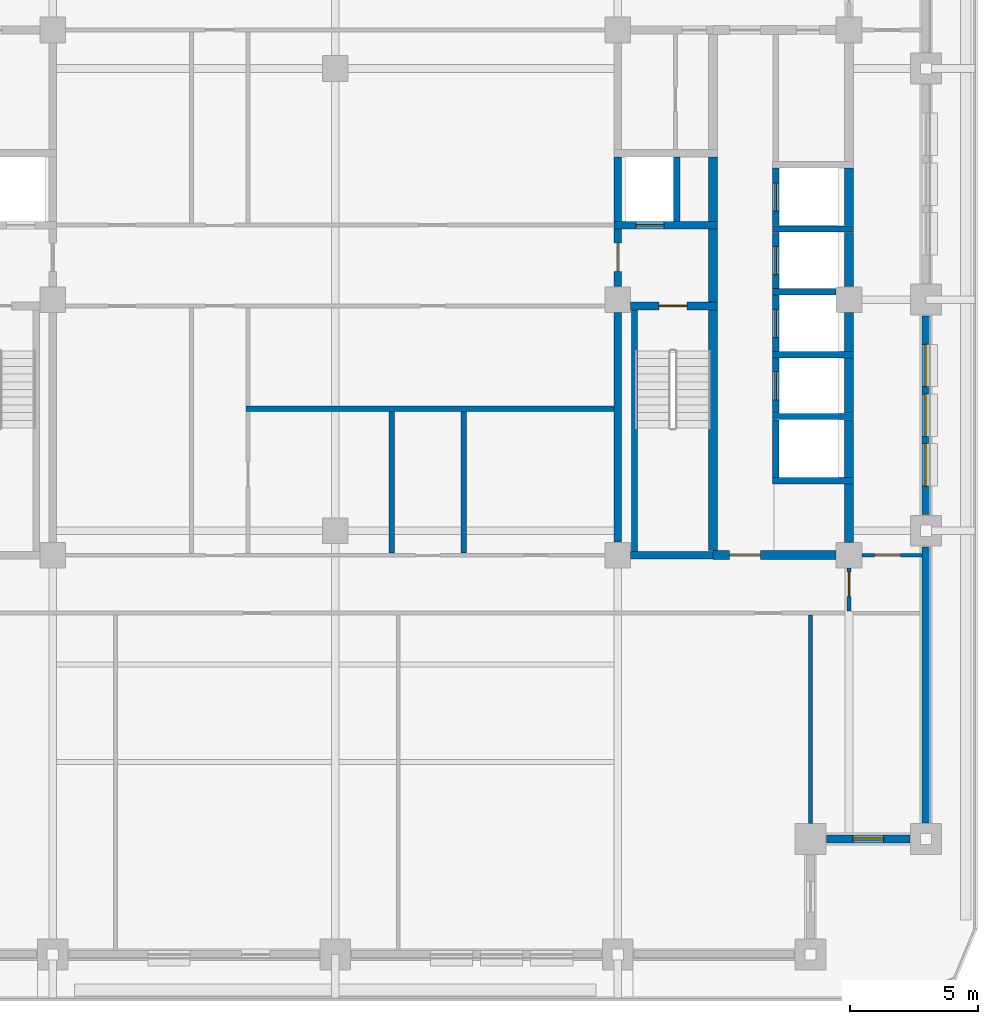
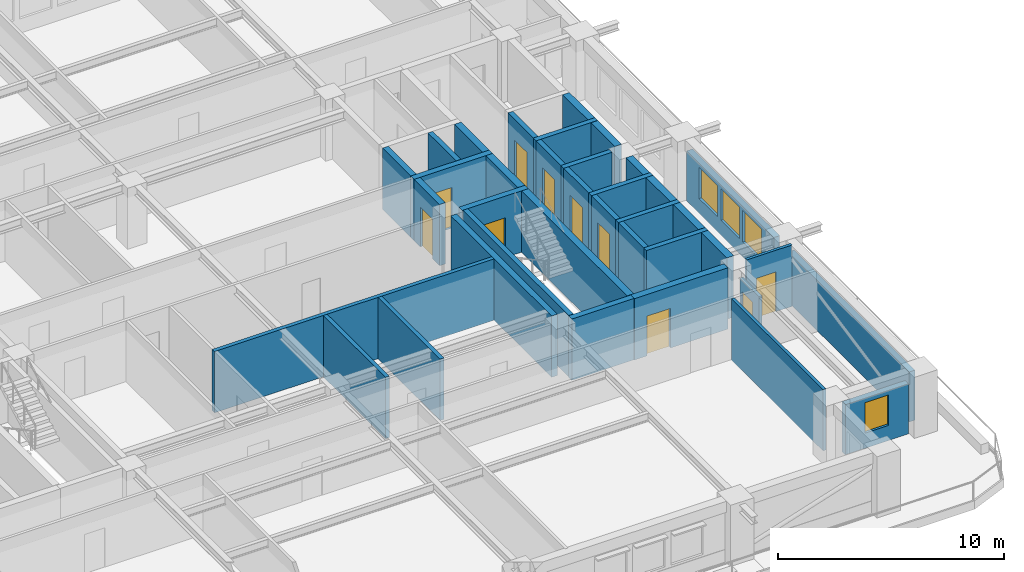
# One storey, part 4 of 15: 37 walls, 10 doors, 4 windows, 14 openings.
"""IFC4 building model written with IfcOpenShell, lengths in metres."""

from ifc_helpers import new_model, si_unit, direction, frame, frame_2d, origin, place, context, subcontext, project, spatial, rectangle, extrude, material, layer, layer_set, type_object, element, fill, save


model = new_model("IFC4")

# Units and contexts
model_context = context("Model", 3, precision=1e-05, world=origin(), true_north=direction((0.0, 1.0)))
body_context = subcontext(model_context, "Body", "Model", "MODEL_VIEW")
ifc_project = project(units=[si_unit("LENGTHUNIT", "METRE"), si_unit("AREAUNIT", "SQUARE_METRE"), si_unit("VOLUMEUNIT", "CUBIC_METRE"), si_unit("PLANEANGLEUNIT", "RADIAN"), si_unit("MASSUNIT", "GRAM", prefix="KILO")], contexts=[model_context])

# Site, building, storey
site_placement = place(None, origin())
site = spatial("IfcSite", under=ifc_project, at=site_placement, CompositionType="ELEMENT")
building_placement = place(site_placement, origin())
building = spatial("IfcBuilding", under=site, at=building_placement, Name="Zulmaris Gate Convention Tower", CompositionType="ELEMENT")
storey_placement = place(building_placement, frame((0.0, 0.0, 128.48974609375)))
storey = spatial("IfcBuildingStorey", under=building, at=storey_placement, Name="L32", CompositionType="ELEMENT", Elevation=128.48974609375)

# Walls
ifc_material_1 = material(Name="Concrete C50/60", Category="concrete")
ifc_layer_1 = layer(ifc_material_1, 0.25, Name="Concrete C50/60")
ifc_layer_set_1 = layer_set([ifc_layer_1], Name="Concrete C50/60")
wall_type_1 = type_object("IfcWallType", Name="CORE-250", PredefinedType="SOLIDWALL", material=ifc_layer_set_1)
for number, where, z_axis, x_axis, name in (
    (1, (17.02490234375, -7.050048828125, 0.0), (0.0, 0.0, 1.0), (1.0, 0.0, 0.0), "WL-L32-005"),
    (2, (17.02490234375, -4.550048828125, 0.0), (0.0, 0.0, 1.0), (1.0, 0.0, 0.0), "WL-L32-006"),
    (3, (17.02490234375, -2.14990234375, 0.0), (0.0, 0.0, 1.0), (1.0, 0.0, 0.0), "WL-L32-007"),
):
    element("IfcWall", number, at=place(storey_placement, frame(where, z_axis=z_axis, x_axis=x_axis)), inside=storey, type_object=wall_type_1, Name=name, PredefinedType="SOLIDWALL", context=body_context, shape_type="SweptSolid", body=[
        extrude(rectangle(XDim=3.150146484375, YDim=0.25, at=frame_2d((1.5751953125, 0.0))), origin(), (0.0, 0.0, 1.0), 3.320068359375),
    ])
wall_1_placement = place(storey_placement, frame((17.02490234375, 0.300048828125, 0.0), z_axis=(0.0, 0.0, 1.0), x_axis=(1.0, 0.0, 0.0)))
element("IfcWall", 4, at=wall_1_placement, inside=storey, type_object=wall_type_1, Name="WL-L32-010", PredefinedType="SOLIDWALL", context=body_context, shape_type="SweptSolid", body=[
    extrude(rectangle(XDim=2.47119140625, YDim=0.25, at=frame_2d((1.235595703125, 0.0))), origin(), (0.0, 0.0, 1.0), 3.320068359375),
])
wall_2_placement = place(storey_placement, frame((17.02490234375, 2.75, 0.0), z_axis=(0.0, 0.0, 1.0), x_axis=(1.0, 0.0, 0.0)))
element("IfcWall", 5, at=wall_2_placement, inside=storey, type_object=wall_type_1, Name="WL-L32-011", PredefinedType="SOLIDWALL", context=body_context, shape_type="SweptSolid", body=[
    extrude(rectangle(XDim=3.150146484375, YDim=0.25, at=frame_2d((1.5751953125, 0.0))), origin(), (0.0, 0.0, 1.0), 3.320068359375),
])
wall_3_placement = place(storey_placement, frame((11.64990234375, -9.798095703125, 0.0), z_axis=(0.0, 0.0, 1.0), x_axis=(0.0, 1.0, 0.0)))
element("IfcWall", 6, at=wall_3_placement, inside=storey, type_object=wall_type_1, Name="WL-L32-051", PredefinedType="SOLIDWALL", context=body_context, shape_type="SweptSolid", body=[
    extrude(rectangle(XDim=9.39599609375, YDim=0.25, at=frame_2d((4.697998046875, 0.0))), origin(), (0.0, 0.0, 1.0), 3.320068359375),
])
wall_4_placement = place(storey_placement, frame((13.300048828125, 3.052001953125, 0.0), z_axis=(0.0, 0.0, 1.0), x_axis=(0.0, 1.0, 0.0)))
element("IfcWall", 7, at=wall_4_placement, inside=storey, type_object=wall_type_1, Name="WL-L32-052", PredefinedType="SOLIDWALL", context=body_context, shape_type="SweptSolid", body=[
    extrude(rectangle(XDim=2.49609375, YDim=0.25, at=frame_2d((1.248046875, 0.0))), origin(), (0.0, 0.0, 1.0), 3.320068359375),
])
wall_5_placement = place(storey_placement, frame((17.14990234375, -6.923095703125, 0.0), z_axis=(0.0, 0.0, 1.0), x_axis=(0.0, 1.0, 0.0)))
element("IfcWall", 8, at=wall_5_placement, inside=storey, type_object=wall_type_1, Name="WL-L32-057", PredefinedType="SOLIDWALL", context=body_context, shape_type="SweptSolid", body=[
    extrude(rectangle(XDim=2.24609375, YDim=0.25, at=frame_2d((1.123046875, 0.0))), origin(), (0.0, 0.0, 1.0), 3.320068359375),
])

# Wall, opening, door
wall_6_placement = place(storey_placement, frame((17.14990234375, -4.423095703125, 0.0), z_axis=(0.0, 0.0, 1.0), x_axis=(0.0, 1.0, 0.0)))
wall_6 = element("IfcWall", 9, at=wall_6_placement, inside=storey, type_object=wall_type_1, Name="WL-L32-058", PredefinedType="SOLIDWALL", context=body_context, shape_type="SweptSolid", body=[
    extrude(rectangle(XDim=2.14599609375, YDim=0.25, at=frame_2d((1.072998046875, 0.0))), origin(), (0.0, 0.0, 1.0), 3.320068359375),
])
opening_1_placement = place(wall_6_placement, frame((0.52294921875, 0.0, 0.0)))
opening_1 = element("IfcOpeningElement", 10, at=opening_1_placement, cuts=wall_6, Name="Opening D-06", PredefinedType="OPENING", context=body_context, shape_type="SweptSolid", body=[
    extrude(rectangle(XDim=1.10009765625, YDim=2.199951171875, at=frame_2d((0.550048828125, 1.10009765625))), frame((0.0, 0.135009765625, 0.0), z_axis=(0.0, -1.0, 0.0), x_axis=(1.0, 0.0, 0.0)), (0.0, 0.0, 1.0), 0.27001953125),
])
ifc_material_2 = material(Name="Brushed Stainless Steel", Category="steel")
door_type_1 = type_object("IfcDoorType", Name="LD-1100", OperationType="NOTDEFINED", PredefinedType="DOOR", material=ifc_material_2)
door_1_placement = place(opening_1_placement, origin())
door_1 = element("IfcDoor", 11, at=door_1_placement, inside=storey, type_object=door_type_1, Name="L32 Lift Landing Door MP-01 14", OperationType="SLIDING_TO_RIGHT", OverallHeight=2.199951171875, OverallWidth=1.10009765625, PredefinedType="DOOR", context=body_context, shape_type="SweptSolid", body=[
    extrude(rectangle(XDim=1.10009765625, YDim=2.199951171875, at=frame_2d((0.550048828125, 1.10009765625))), frame((0.0, 0.02490234375, 0.0), z_axis=(0.0, -1.0, 0.0), x_axis=(1.0, 0.0, 0.0)), (0.0, 0.0, 1.0), 0.050048828125),
])
fill(opening_1, door_1)

wall_7_placement = place(storey_placement, frame((17.14990234375, -2.02294921875, 0.0), z_axis=(0.0, 0.0, 1.0), x_axis=(0.0, 1.0, 0.0)))
wall_7 = element("IfcWall", 12, at=wall_7_placement, inside=storey, type_object=wall_type_1, Name="WL-L32-059", PredefinedType="SOLIDWALL", context=body_context, shape_type="SweptSolid", body=[
    extrude(rectangle(XDim=2.196044921875, YDim=0.25, at=frame_2d((1.09814453125, 0.0))), origin(), (0.0, 0.0, 1.0), 3.320068359375),
])
opening_2_placement = place(wall_7_placement, frame((0.548095703125, 0.0, 0.0)))
opening_2 = element("IfcOpeningElement", 13, at=opening_2_placement, cuts=wall_7, Name="Opening D-06", PredefinedType="OPENING", context=body_context, shape_type="SweptSolid", body=[
    extrude(rectangle(XDim=1.10009765625, YDim=2.199951171875, at=frame_2d((0.550048828125, 1.10009765625))), frame((0.0, 0.135009765625, 0.0), z_axis=(0.0, -1.0, 0.0), x_axis=(1.0, 0.0, 0.0)), (0.0, 0.0, 1.0), 0.27001953125),
])
door_2_placement = place(opening_2_placement, origin())
door_2 = element("IfcDoor", 14, at=door_2_placement, inside=storey, type_object=door_type_1, Name="L32 Lift Landing Door MP-02 15", OperationType="SLIDING_TO_RIGHT", OverallHeight=2.199951171875, OverallWidth=1.10009765625, PredefinedType="DOOR", context=body_context, shape_type="SweptSolid", body=[
    extrude(rectangle(XDim=1.10009765625, YDim=2.199951171875, at=frame_2d((0.550048828125, 1.10009765625))), frame((0.0, 0.02490234375, 0.0), z_axis=(0.0, -1.0, 0.0), x_axis=(1.0, 0.0, 0.0)), (0.0, 0.0, 1.0), 0.050048828125),
])
fill(opening_2, door_2)

wall_8_placement = place(storey_placement, frame((17.14990234375, 0.427001953125, 0.0), z_axis=(0.0, 0.0, 1.0), x_axis=(0.0, 1.0, 0.0)))
wall_8 = element("IfcWall", 15, at=wall_8_placement, inside=storey, type_object=wall_type_1, Name="WL-L32-060", PredefinedType="SOLIDWALL", context=body_context, shape_type="SweptSolid", body=[
    extrude(rectangle(XDim=2.196044921875, YDim=0.25, at=frame_2d((1.09814453125, 0.0))), origin(), (0.0, 0.0, 1.0), 3.320068359375),
])
opening_3_placement = place(wall_8_placement, frame((0.548095703125, 0.0, 0.0)))
opening_3 = element("IfcOpeningElement", 16, at=opening_3_placement, cuts=wall_8, Name="Opening D-06", PredefinedType="OPENING", context=body_context, shape_type="SweptSolid", body=[
    extrude(rectangle(XDim=1.10009765625, YDim=2.199951171875, at=frame_2d((0.550048828125, 1.10009765625))), frame((0.0, 0.135009765625, 0.0), z_axis=(0.0, -1.0, 0.0), x_axis=(1.0, 0.0, 0.0)), (0.0, 0.0, 1.0), 0.27001953125),
])
door_3_placement = place(opening_3_placement, origin())
door_3 = element("IfcDoor", 17, at=door_3_placement, inside=storey, type_object=door_type_1, Name="L32 Lift Landing Door MP-03 16", OperationType="SLIDING_TO_RIGHT", OverallHeight=2.199951171875, OverallWidth=1.10009765625, PredefinedType="DOOR", context=body_context, shape_type="SweptSolid", body=[
    extrude(rectangle(XDim=1.10009765625, YDim=2.199951171875, at=frame_2d((0.550048828125, 1.10009765625))), frame((0.0, 0.02490234375, 0.0), z_axis=(0.0, -1.0, 0.0), x_axis=(1.0, 0.0, 0.0)), (0.0, 0.0, 1.0), 0.050048828125),
])
fill(opening_3, door_3)

wall_9_placement = place(storey_placement, frame((17.14990234375, 2.876953125, 0.0), z_axis=(0.0, 0.0, 1.0), x_axis=(0.0, 1.0, 0.0)))
wall_9 = element("IfcWall", 18, at=wall_9_placement, inside=storey, type_object=wall_type_1, Name="WL-L32-061", PredefinedType="SOLIDWALL", context=body_context, shape_type="SweptSolid", body=[
    extrude(rectangle(XDim=2.24609375, YDim=0.25, at=frame_2d((1.123046875, 0.0))), origin(), (0.0, 0.0, 1.0), 3.320068359375),
])
opening_4_placement = place(wall_9_placement, frame((0.572998046875, 0.0, 0.0)))
opening_4 = element("IfcOpeningElement", 19, at=opening_4_placement, cuts=wall_9, Name="Opening D-06", PredefinedType="OPENING", context=body_context, shape_type="SweptSolid", body=[
    extrude(rectangle(XDim=1.10009765625, YDim=2.199951171875, at=frame_2d((0.550048828125, 1.10009765625))), frame((0.0, 0.135009765625, 0.0), z_axis=(0.0, -1.0, 0.0), x_axis=(1.0, 0.0, 0.0)), (0.0, 0.0, 1.0), 0.27001953125),
])
door_4_placement = place(opening_4_placement, origin())
door_4 = element("IfcDoor", 20, at=door_4_placement, inside=storey, type_object=door_type_1, Name="L32 Lift Landing Door MP-04 17", OperationType="SLIDING_TO_RIGHT", OverallHeight=2.199951171875, OverallWidth=1.10009765625, PredefinedType="DOOR", context=body_context, shape_type="SweptSolid", body=[
    extrude(rectangle(XDim=1.10009765625, YDim=2.199951171875, at=frame_2d((0.550048828125, 1.10009765625))), frame((0.0, 0.02490234375, 0.0), z_axis=(0.0, -1.0, 0.0), x_axis=(1.0, 0.0, 0.0)), (0.0, 0.0, 1.0), 0.050048828125),
])
fill(opening_4, door_4)

# Wall
ifc_layer_2 = layer(ifc_material_1, 0.300048828125, Name="Concrete C50/60")
ifc_layer_set_2 = layer_set([ifc_layer_2], Name="Concrete C50/60")
wall_type_2 = type_object("IfcWallType", Name="CORE-300", PredefinedType="SHEAR", material=ifc_layer_set_2)
wall_10_placement = place(storey_placement, frame((11.50390625, -9.949951171875, 0.0), z_axis=(0.0, 0.0, 1.0), x_axis=(1.0, 0.0, 0.0)))
element("IfcWall", 21, at=wall_10_placement, inside=storey, type_object=wall_type_2, Name="WL-L32-003", PredefinedType="SHEAR", context=body_context, shape_type="SweptSolid", body=[
    extrude(rectangle(XDim=3.196044921875, YDim=0.300048828125, at=frame_2d((1.59814453125, 0.0))), origin(), (0.0, 0.0, 1.0), 3.320068359375),
])

# Wall, opening, door
wall_11_placement = place(storey_placement, frame((11.50390625, -0.25, 0.0), z_axis=(0.0, 0.0, 1.0), x_axis=(1.0, 0.0, 0.0)))
wall_11 = element("IfcWall", 22, at=wall_11_placement, inside=storey, type_object=wall_type_2, Name="WL-L32-009", PredefinedType="SHEAR", context=body_context, shape_type="SweptSolid", body=[
    extrude(rectangle(XDim=3.37109375, YDim=0.300048828125, at=frame_2d((1.685546875, 0.0))), origin(), (0.0, 0.0, 1.0), 3.320068359375),
])
opening_5_placement = place(wall_11_placement, frame((1.095947265625, 0.0, 0.0)))
opening_5 = element("IfcOpeningElement", 23, at=opening_5_placement, cuts=wall_11, Name="Opening D-08", PredefinedType="OPENING", context=body_context, shape_type="SweptSolid", body=[
    extrude(rectangle(XDim=1.10009765625, YDim=2.14990234375, at=frame_2d((0.550048828125, 1.074951171875))), frame((0.0, 0.16015625, 0.0), z_axis=(0.0, -1.0, 0.0), x_axis=(1.0, 0.0, 0.0)), (0.0, 0.0, 1.0), 0.320068359375),
])
ifc_material_3 = material(Name="Fire-Rated Steel", Category="steel")
door_type_2 = type_object("IfcDoorType", Name="DR-1100-FD", OperationType="NOTDEFINED", PredefinedType="DOOR", material=ifc_material_3)
door_5_placement = place(opening_5_placement, origin())
door_5 = element("IfcDoor", 24, at=door_5_placement, inside=storey, type_object=door_type_2, Name="L32 Exit Stair ST-2 Door 04", OperationType="SINGLE_SWING_LEFT", OverallHeight=2.14990234375, OverallWidth=1.10009765625, PredefinedType="DOOR", context=body_context, shape_type="SweptSolid", body=[
    extrude(rectangle(XDim=1.10009765625, YDim=2.14990234375, at=frame_2d((0.550048828125, 1.074951171875))), frame((0.0, 0.02490234375, 0.0), z_axis=(0.0, -1.0, 0.0), x_axis=(1.0, 0.0, 0.0)), (0.0, 0.0, 1.0), 0.050048828125),
])
fill(opening_5, door_5)

wall_12_placement = place(storey_placement, frame((10.85009765625, 2.89990234375, 0.0), z_axis=(0.0, 0.0, 1.0), x_axis=(1.0, 0.0, 0.0)))
wall_12 = element("IfcWall", 25, at=wall_12_placement, inside=storey, type_object=wall_type_2, Name="WL-L32-013", PredefinedType="SHEAR", context=body_context, shape_type="SweptSolid", body=[
    extrude(rectangle(XDim=4.02490234375, YDim=0.300048828125, at=frame_2d((2.012451171875, 0.0))), origin(), (0.0, 0.0, 1.0), 3.320068359375),
])
opening_6_placement = place(wall_12_placement, frame((0.85009765625, 0.0, 0.0)))
opening_6 = element("IfcOpeningElement", 26, at=opening_6_placement, cuts=wall_12, Name="Opening D-06", PredefinedType="OPENING", context=body_context, shape_type="SweptSolid", body=[
    extrude(rectangle(XDim=1.10009765625, YDim=2.199951171875, at=frame_2d((0.550048828125, 1.10009765625))), frame((0.0, 0.16015625, 0.0), z_axis=(0.0, -1.0, 0.0), x_axis=(1.0, 0.0, 0.0)), (0.0, 0.0, 1.0), 0.320068359375),
])
door_6_placement = place(opening_6_placement, origin())
door_6 = element("IfcDoor", 27, at=door_6_placement, inside=storey, type_object=door_type_1, Name="L32 Lift Landing Door LF-02 06", OperationType="SLIDING_TO_RIGHT", OverallHeight=2.199951171875, OverallWidth=1.10009765625, PredefinedType="DOOR", context=body_context, shape_type="SweptSolid", body=[
    extrude(rectangle(XDim=1.10009765625, YDim=2.199951171875, at=frame_2d((0.550048828125, 1.10009765625))), frame((0.0, 0.02490234375, 0.0), z_axis=(0.0, -1.0, 0.0), x_axis=(1.0, 0.0, 0.0)), (0.0, 0.0, 1.0), 0.050048828125),
])
fill(opening_6, door_6)

# Wall
wall_13_placement = place(storey_placement, frame((11.0, -9.446044921875, 0.0), z_axis=(0.0, 0.0, 1.0), x_axis=(0.0, 1.0, 0.0)))
element("IfcWall", 28, at=wall_13_placement, inside=storey, type_object=wall_type_2, Name="WL-L32-047", PredefinedType="SHEAR", context=body_context, shape_type="SweptSolid", body=[
    extrude(rectangle(XDim=8.942138671875, YDim=0.300048828125, at=frame_2d((4.47119140625, 0.0))), origin(), (0.0, 0.0, 1.0), 3.320068359375),
])

# Wall, opening, door
wall_14_placement = place(storey_placement, frame((11.0, 0.50390625, 0.0), z_axis=(0.0, 0.0, 1.0), x_axis=(0.0, 1.0, 0.0)))
wall_14 = element("IfcWall", 29, at=wall_14_placement, inside=storey, type_object=wall_type_2, Name="WL-L32-048", PredefinedType="SHEAR", context=body_context, shape_type="SweptSolid", body=[
    extrude(rectangle(XDim=2.244140625, YDim=0.300048828125, at=frame_2d((1.1220703125, 0.0))), origin(), (0.0, 0.0, 1.0), 3.320068359375),
])
opening_7_placement = place(wall_14_placement, frame((0.595947265625, 0.0, 0.0)))
opening_7 = element("IfcOpeningElement", 30, at=opening_7_placement, cuts=wall_14, Name="Opening D-08", PredefinedType="OPENING", context=body_context, shape_type="SweptSolid", body=[
    extrude(rectangle(XDim=1.10009765625, YDim=2.14990234375, at=frame_2d((0.550048828125, 1.074951171875))), frame((0.0, 0.16015625, 0.0), z_axis=(0.0, -1.0, 0.0), x_axis=(1.0, 0.0, 0.0)), (0.0, 0.0, 1.0), 0.320068359375),
])
door_7_placement = place(opening_7_placement, origin())
door_7 = element("IfcDoor", 31, at=door_7_placement, inside=storey, type_object=door_type_2, Name="L32 East Firefighting Lobby Door 05", OperationType="SINGLE_SWING_RIGHT", OverallHeight=2.14990234375, OverallWidth=1.10009765625, PredefinedType="DOOR", context=body_context, shape_type="SweptSolid", body=[
    extrude(rectangle(XDim=1.10009765625, YDim=2.14990234375, at=frame_2d((0.550048828125, 1.074951171875))), frame((0.0, 0.02490234375, 0.0), z_axis=(0.0, -1.0, 0.0), x_axis=(1.0, 0.0, 0.0)), (0.0, 0.0, 1.0), 0.050048828125),
])
fill(opening_7, door_7)

# Wall
wall_15_placement = place(storey_placement, frame((11.0, 3.052001953125, 0.0), z_axis=(0.0, 0.0, 1.0), x_axis=(0.0, 1.0, 0.0)))
element("IfcWall", 32, at=wall_15_placement, inside=storey, type_object=wall_type_2, Name="WL-L32-049", PredefinedType="SHEAR", context=body_context, shape_type="SweptSolid", body=[
    extrude(rectangle(XDim=2.49609375, YDim=0.300048828125, at=frame_2d((1.248046875, 0.0))), origin(), (0.0, 0.0, 1.0), 3.320068359375),
])

# Wall, opening, door
ifc_material_4 = material(Name="Concrete C55/67", Category="concrete")
ifc_layer_3 = layer(ifc_material_4, 0.35009765625, Name="Concrete C55/67")
ifc_layer_set_3 = layer_set([ifc_layer_3], Name="Concrete C55/67")
wall_type_3 = type_object("IfcWallType", Name="CORE-350", PredefinedType="SHEAR", material=ifc_layer_set_3)
wall_16_placement = place(storey_placement, frame((14.699951171875, -9.949951171875, 0.0), z_axis=(0.0, 0.0, 1.0), x_axis=(1.0, 0.0, 0.0)))
wall_16 = element("IfcWall", 33, at=wall_16_placement, inside=storey, type_object=wall_type_3, Name="WL-L32-004", PredefinedType="SHEAR", context=body_context, shape_type="SweptSolid", body=[
    extrude(rectangle(XDim=4.796142578125, YDim=0.35009765625, at=frame_2d((2.39794921875, 0.0))), origin(), (0.0, 0.0, 1.0), 3.320068359375),
])
opening_8_placement = place(wall_16_placement, frame((0.64990234375, 0.0, 0.0)))
opening_8 = element("IfcOpeningElement", 34, at=opening_8_placement, cuts=wall_16, Name="Opening D-13", PredefinedType="OPENING", context=body_context, shape_type="SweptSolid", body=[
    extrude(rectangle(XDim=1.199951171875, YDim=2.14990234375, at=frame_2d((0.60009765625, 1.074951171875))), frame((0.0, 0.18505859375, 0.0), z_axis=(0.0, -1.0, 0.0), x_axis=(1.0, 0.0, 0.0)), (0.0, 0.0, 1.0), 0.3701171875),
])
door_type_3 = type_object("IfcDoorType", Name="DR-1200-FD", OperationType="NOTDEFINED", PredefinedType="DOOR", material=ifc_material_3)
door_8_placement = place(opening_8_placement, origin())
door_8 = element("IfcDoor", 35, at=door_8_placement, inside=storey, type_object=door_type_3, Name="L32 East Lift Lobby South Door 18", OperationType="SINGLE_SWING_RIGHT", OverallHeight=2.14990234375, OverallWidth=1.199951171875, PredefinedType="DOOR", context=body_context, shape_type="SweptSolid", body=[
    extrude(rectangle(XDim=1.199951171875, YDim=2.14990234375, at=frame_2d((0.60009765625, 1.074951171875))), frame((0.0, 0.02490234375, 0.0), z_axis=(0.0, -1.0, 0.0), x_axis=(1.0, 0.0, 0.0)), (0.0, 0.0, 1.0), 0.050048828125),
])
fill(opening_8, door_8)

# Walls
wall_17_placement = place(storey_placement, frame((14.699951171875, -9.77294921875, 0.0), z_axis=(0.0, 0.0, 1.0), x_axis=(0.0, 1.0, 0.0)))
element("IfcWall", 36, at=wall_17_placement, inside=storey, type_object=wall_type_3, Name="WL-L32-053", PredefinedType="SHEAR", context=body_context, shape_type="SweptSolid", body=[
    extrude(rectangle(XDim=9.370849609375, YDim=0.35009765625, at=frame_2d((4.685546875, 0.0))), origin(), (0.0, 0.0, 1.0), 3.320068359375),
])
wall_18_placement = place(storey_placement, frame((14.699951171875, -0.097900390625, 0.0), z_axis=(0.0, 0.0, 1.0), x_axis=(0.0, 1.0, 0.0)))
element("IfcWall", 37, at=wall_18_placement, inside=storey, type_object=wall_type_3, Name="WL-L32-054", PredefinedType="SHEAR", context=body_context, shape_type="SweptSolid", body=[
    extrude(rectangle(XDim=2.845947265625, YDim=0.35009765625, at=frame_2d((1.4228515625, 0.0))), origin(), (0.0, 0.0, 1.0), 3.320068359375),
])
wall_19_placement = place(storey_placement, frame((14.699951171875, 3.052001953125, 0.0), z_axis=(0.0, 0.0, 1.0), x_axis=(0.0, 1.0, 0.0)))
element("IfcWall", 38, at=wall_19_placement, inside=storey, type_object=wall_type_3, Name="WL-L32-055", PredefinedType="SHEAR", context=body_context, shape_type="SweptSolid", body=[
    extrude(rectangle(XDim=2.49609375, YDim=0.35009765625, at=frame_2d((1.248046875, 0.0))), origin(), (0.0, 0.0, 1.0), 3.320068359375),
])
wall_20_placement = place(storey_placement, frame((20.0, -9.446044921875, 0.0), z_axis=(0.0, 0.0, 1.0), x_axis=(0.0, 1.0, 0.0)))
element("IfcWall", 39, at=wall_20_placement, inside=storey, type_object=wall_type_3, Name="WL-L32-062", PredefinedType="SHEAR", context=body_context, shape_type="SweptSolid", body=[
    extrude(rectangle(XDim=2.26904296875, YDim=0.35009765625, at=frame_2d((1.134521484375, 0.0))), origin(), (0.0, 0.0, 1.0), 3.320068359375),
])
wall_21_placement = place(storey_placement, frame((20.0, -6.923095703125, 0.0), z_axis=(0.0, 0.0, 1.0), x_axis=(0.0, 1.0, 0.0)))
element("IfcWall", 40, at=wall_21_placement, inside=storey, type_object=wall_type_3, Name="WL-L32-063", PredefinedType="SHEAR", context=body_context, shape_type="SweptSolid", body=[
    extrude(rectangle(XDim=2.24609375, YDim=0.35009765625, at=frame_2d((1.123046875, 0.0))), origin(), (0.0, 0.0, 1.0), 3.320068359375),
])
wall_22_placement = place(storey_placement, frame((20.0, -4.423095703125, 0.0), z_axis=(0.0, 0.0, 1.0), x_axis=(0.0, 1.0, 0.0)))
element("IfcWall", 41, at=wall_22_placement, inside=storey, type_object=wall_type_3, Name="WL-L32-064", PredefinedType="SHEAR", context=body_context, shape_type="SweptSolid", body=[
    extrude(rectangle(XDim=2.14599609375, YDim=0.35009765625, at=frame_2d((1.072998046875, 0.0))), origin(), (0.0, 0.0, 1.0), 3.320068359375),
])
wall_23_placement = place(storey_placement, frame((20.0, -2.02294921875, 0.0), z_axis=(0.0, 0.0, 1.0), x_axis=(0.0, 1.0, 0.0)))
element("IfcWall", 42, at=wall_23_placement, inside=storey, type_object=wall_type_3, Name="WL-L32-065", PredefinedType="SHEAR", context=body_context, shape_type="SweptSolid", body=[
    extrude(rectangle(XDim=1.51904296875, YDim=0.35009765625, at=frame_2d((0.759521484375, 0.0))), origin(), (0.0, 0.0, 1.0), 3.320068359375),
])
wall_24_placement = place(storey_placement, frame((20.0, 0.50390625, 0.0), z_axis=(0.0, 0.0, 1.0), x_axis=(0.0, 1.0, 0.0)))
element("IfcWall", 43, at=wall_24_placement, inside=storey, type_object=wall_type_3, Name="WL-L32-066", PredefinedType="SHEAR", context=body_context, shape_type="SweptSolid", body=[
    extrude(rectangle(XDim=2.119140625, YDim=0.35009765625, at=frame_2d((1.0595703125, 0.0))), origin(), (0.0, 0.0, 1.0), 3.320068359375),
])
wall_25_placement = place(storey_placement, frame((20.0, 2.876953125, 0.0), z_axis=(0.0, 0.0, 1.0), x_axis=(0.0, 1.0, 0.0)))
element("IfcWall", 44, at=wall_25_placement, inside=storey, type_object=wall_type_3, Name="WL-L32-067", PredefinedType="SHEAR", context=body_context, shape_type="SweptSolid", body=[
    extrude(rectangle(XDim=2.24609375, YDim=0.35009765625, at=frame_2d((1.123046875, 0.0))), origin(), (0.0, 0.0, 1.0), 3.320068359375),
])

# Wall, opening, door
ifc_material_5 = material(Name="Gypsum Metal Stud Partition")
ifc_layer_4 = layer(ifc_material_5, 0.14990234375, Name="Gypsum Metal Stud Partition")
ifc_layer_set_4 = layer_set([ifc_layer_4], Name="Gypsum Metal Stud Partition")
wall_type_4 = type_object("IfcWallType", Name="PART-150", PredefinedType="PARTITIONING", material=ifc_layer_set_4)
wall_26_placement = place(storey_placement, frame((20.506103515625, -9.949951171875, 0.0), z_axis=(0.0, 0.0, 1.0), x_axis=(1.0, 0.0, 0.0)))
wall_26 = element("IfcWall", 45, at=wall_26_placement, inside=storey, type_object=wall_type_4, Name="WL-L32-024", PredefinedType="PARTITIONING", context=body_context, shape_type="SweptSolid", body=[
    extrude(rectangle(XDim=2.328857421875, YDim=0.14990234375, at=frame_2d((1.16455078125, 0.0))), origin(), (0.0, 0.0, 1.0), 3.320068359375),
])
opening_9_placement = place(wall_26_placement, frame((0.493896484375, 0.0, 0.0)))
opening_9 = element("IfcOpeningElement", 46, at=opening_9_placement, cuts=wall_26, Name="Opening D-10", PredefinedType="OPENING", context=body_context, shape_type="SweptSolid", body=[
    extrude(rectangle(XDim=1.0, YDim=2.14990234375, at=frame_2d((0.5, 1.074951171875))), frame((0.0, 0.0849609375, 0.0), z_axis=(0.0, -1.0, 0.0), x_axis=(1.0, 0.0, 0.0)), (0.0, 0.0, 1.0), 0.169921875),
])
ifc_material_6 = material(Name="Fire-Rated Timber", Category="wood")
door_type_4 = type_object("IfcDoorType", Name="DR-1000-FD", OperationType="NOTDEFINED", PredefinedType="DOOR", material=ifc_material_6)
door_9_placement = place(opening_9_placement, origin())
door_9 = element("IfcDoor", 47, at=door_9_placement, inside=storey, type_object=door_type_4, Name="L32 East Workplace South Door 47", OperationType="SINGLE_SWING_LEFT", OverallHeight=2.14990234375, OverallWidth=1.0, PredefinedType="DOOR", context=body_context, shape_type="SweptSolid", body=[
    extrude(rectangle(XDim=1.0, YDim=2.14990234375, at=frame_2d((0.5, 1.074951171875))), frame((0.0, 0.02490234375, 0.0), z_axis=(0.0, -1.0, 0.0), x_axis=(1.0, 0.0, 0.0)), (0.0, 0.0, 1.0), 0.050048828125),
])
fill(opening_9, door_9)

# Wall
wall_27_placement = place(storey_placement, frame((18.5, -20.39404296875, 0.0), z_axis=(0.0, 0.0, 1.0), x_axis=(0.0, 1.0, 0.0)))
element("IfcWall", 48, at=wall_27_placement, inside=storey, type_object=wall_type_4, Name="WL-L32-090", PredefinedType="PARTITIONING", context=body_context, shape_type="SweptSolid", body=[
    extrude(rectangle(XDim=8.115966796875, YDim=0.14990234375, at=frame_2d((4.05810546875, 0.0))), origin(), (0.0, 0.0, 1.0), 3.320068359375),
])

# Wall, opening, door
wall_28_placement = place(storey_placement, frame((20.0, -12.1220703125, 0.0), z_axis=(0.0, 0.0, 1.0), x_axis=(0.0, 1.0, 0.0)))
wall_28 = element("IfcWall", 49, at=wall_28_placement, inside=storey, type_object=wall_type_4, Name="WL-L32-092", PredefinedType="PARTITIONING", context=body_context, shape_type="SweptSolid", body=[
    extrude(rectangle(XDim=1.666015625, YDim=0.14990234375, at=frame_2d((0.8330078125, 0.0))), origin(), (0.0, 0.0, 1.0), 2.81005859375),
])
opening_10_placement = place(wall_28_placement, frame((0.56591796875, 0.0, 0.0)))
opening_10 = element("IfcOpeningElement", 50, at=opening_10_placement, cuts=wall_28, Name="Opening D-11", PredefinedType="OPENING", context=body_context, shape_type="SweptSolid", body=[
    extrude(rectangle(XDim=0.949951171875, YDim=2.14990234375, at=frame_2d((0.47509765625, 1.074951171875))), frame((0.0, 0.0849609375, 0.0), z_axis=(0.0, -1.0, 0.0), x_axis=(1.0, 0.0, 0.0)), (0.0, 0.0, 1.0), 0.169921875),
])
door_type_5 = type_object("IfcDoorType", Name="DR-950-FD", OperationType="NOTDEFINED", PredefinedType="DOOR", material=ifc_material_6)
door_10_placement = place(opening_10_placement, origin())
door_10 = element("IfcDoor", 51, at=door_10_placement, inside=storey, type_object=door_type_5, Name="L32 SE Spur Door 45", OperationType="SINGLE_SWING_LEFT", OverallHeight=2.14990234375, OverallWidth=0.949951171875, PredefinedType="DOOR", context=body_context, shape_type="SweptSolid", body=[
    extrude(rectangle(XDim=0.949951171875, YDim=2.14990234375, at=frame_2d((0.47509765625, 1.074951171875))), frame((0.0, 0.02490234375, 0.0), z_axis=(0.0, -1.0, 0.0), x_axis=(1.0, 0.0, 0.0)), (0.0, 0.0, 1.0), 0.050048828125),
])
fill(opening_10, door_10)

# Walls
ifc_material_7 = material(Name="Autoclaved Aerated Concrete Block and Plasterboard", Category="concrete")
ifc_layer_5 = layer(ifc_material_7, 0.199951171875, Name="Autoclaved Aerated Concrete Block and Plasterboard")
ifc_layer_set_5 = layer_set([ifc_layer_5], Name="Autoclaved Aerated Concrete Block and Plasterboard")
wall_type_5 = type_object("IfcWallType", Name="PART-200", PredefinedType="PARTITIONING", material=ifc_layer_set_5)
wall_29_placement = place(storey_placement, frame((-3.47509765625, -4.25, 0.0), z_axis=(0.0, 0.0, 1.0), x_axis=(1.0, 0.0, 0.0)))
element("IfcWall", 52, at=wall_29_placement, inside=storey, type_object=wall_type_5, Name="WL-L32-025", PredefinedType="PARTITIONING", context=body_context, shape_type="SweptSolid", body=[
    extrude(rectangle(XDim=14.322021484375, YDim=0.199951171875, at=frame_2d((7.1611328125, 0.0))), origin(), (0.0, 0.0, 1.0), 3.320068359375),
])
for number, where, z_axis, x_axis, name in (
    (53, (2.199951171875, -9.8720703125, 0.0), (0.0, 0.0, 1.0), (0.0, 1.0, 0.0), "WL-L32-084"),
    (54, (5.0, -9.8720703125, 0.0), (0.0, 0.0, 1.0), (0.0, 1.0, 0.0), "WL-L32-086"),
):
    element("IfcWall", number, at=place(storey_placement, frame(where, z_axis=z_axis, x_axis=x_axis)), inside=storey, type_object=wall_type_5, Name=name, PredefinedType="PARTITIONING", context=body_context, shape_type="SweptSolid", body=[
        extrude(rectangle(XDim=5.51904296875, YDim=0.199951171875, at=frame_2d((2.759521484375, 0.0))), origin(), (0.0, 0.0, 1.0), 3.320068359375),
    ])

# Wall, opening, window
ifc_material_8 = material(Name="Precast concrete C40/50", Category="concrete")
ifc_layer_6 = layer(ifc_material_8, 0.300048828125, Name="Precast concrete C40/50")
ifc_layer_set_6 = layer_set([ifc_layer_6], Name="Precast concrete C40/50")
wall_type_6 = type_object("IfcWallType", Name="PRECAST-PIER-300", PredefinedType="STANDARD", material=ifc_layer_set_6)
wall_30_placement = place(storey_placement, frame((19.1298828125, -21.0, 0.0), z_axis=(0.0, 0.0, 1.0), x_axis=(1.0, 0.0, 0.0)))
wall_30 = element("IfcWall", 55, at=wall_30_placement, inside=storey, type_object=wall_type_6, Name="EW-L32-NOTCH-SE2_0", PredefinedType="STANDARD", context=body_context, shape_type="SweptSolid", body=[
    extrude(rectangle(XDim=3.240234375, YDim=0.300048828125, at=frame_2d((1.6201171875, 0.0))), origin(), (0.0, 0.0, 1.0), 2.712158203125),
])
opening_11_placement = place(wall_30_placement, frame((1.02001953125, 0.0, 0.820068359375)))
opening_11 = element("IfcOpeningElement", 56, at=opening_11_placement, cuts=wall_30, Name="Opening W-04", PredefinedType="OPENING", context=body_context, shape_type="SweptSolid", body=[
    extrude(rectangle(XDim=1.199951171875, YDim=1.64990234375, at=frame_2d((0.60009765625, 0.824951171875))), frame((0.0, 0.16015625, 0.0), z_axis=(0.0, -1.0, 0.0), x_axis=(1.0, 0.0, 0.0)), (0.0, 0.0, 1.0), 0.320068359375),
])
ifc_material_9 = material(Name="Low-E Laminated Double Glazing in Aluminium Frame", Category="aluminium")
window_type_1 = type_object("IfcWindowType", Name="WIN-1200x2100", PartitioningType="SINGLE_PANEL", PredefinedType="WINDOW", material=ifc_material_9)
window_1_placement = place(opening_11_placement, origin())
window_1 = element("IfcWindow", 57, at=window_1_placement, inside=storey, type_object=window_type_1, Name="WN-EW-L32-NOTCH-SE2_0", OverallHeight=1.64990234375, OverallWidth=1.199951171875, PartitioningType="SINGLE_PANEL", PredefinedType="WINDOW", context=body_context, shape_type="SweptSolid", body=[
    extrude(rectangle(XDim=1.199951171875, YDim=1.64990234375, at=frame_2d((0.60009765625, 0.824951171875))), frame((0.0, 0.030029296875, 0.0), z_axis=(0.0, -1.0, 0.0), x_axis=(1.0, 0.0, 0.0)), (0.0, 0.0, 1.0), 0.06005859375),
])
fill(opening_11, window_1)

# Wall
wall_31_placement = place(storey_placement, frame((23.0, -20.3701171875, 0.0), z_axis=(0.0, 0.0, 1.0), x_axis=(0.0, 1.0, 0.0)))
element("IfcWall", 58, at=wall_31_placement, inside=storey, type_object=wall_type_6, Name="EW-L32-E-0_0", PredefinedType="STANDARD", context=body_context, shape_type="SweptSolid", body=[
    extrude(rectangle(XDim=10.740234375, YDim=0.300048828125, at=frame_2d((5.3701171875, 0.0))), origin(), (0.0, 0.0, 1.0), 2.712158203125),
])

# Wall, openings, windows
wall_32_placement = place(storey_placement, frame((23.0, -8.3701171875, 0.0), z_axis=(0.0, 0.0, 1.0), x_axis=(0.0, 1.0, 0.0)))
wall_32 = element("IfcWall", 59, at=wall_32_placement, inside=storey, type_object=wall_type_6, Name="EW-L32-E-1_0", PredefinedType="STANDARD", context=body_context, shape_type="SweptSolid", body=[
    extrude(rectangle(XDim=7.740234375, YDim=0.300048828125, at=frame_2d((3.8701171875, 0.0))), origin(), (0.0, 0.0, 1.0), 2.712158203125),
])
opening_12_placement = place(wall_32_placement, frame((1.110107421875, 0.0, 0.800048828125)))
opening_12 = element("IfcOpeningElement", 60, at=opening_12_placement, cuts=wall_32, Name="Opening W-08", PredefinedType="OPENING", context=body_context, shape_type="SweptSolid", body=[
    extrude(rectangle(XDim=1.64990234375, YDim=1.699951171875, at=frame_2d((0.824951171875, 0.85009765625))), frame((0.0, 0.16015625, 0.0), z_axis=(0.0, -1.0, 0.0), x_axis=(1.0, 0.0, 0.0)), (0.0, 0.0, 1.0), 0.320068359375),
])
opening_13_placement = place(wall_32_placement, frame((3.044921875, 0.0, 0.800048828125)))
opening_13 = element("IfcOpeningElement", 61, at=opening_13_placement, cuts=wall_32, Name="Opening W-08", PredefinedType="OPENING", context=body_context, shape_type="SweptSolid", body=[
    extrude(rectangle(XDim=1.64990234375, YDim=1.699951171875, at=frame_2d((0.824951171875, 0.85009765625))), frame((0.0, 0.16015625, 0.0), z_axis=(0.0, -1.0, 0.0), x_axis=(1.0, 0.0, 0.0)), (0.0, 0.0, 1.0), 0.320068359375),
])
opening_14_placement = place(wall_32_placement, frame((4.97998046875, 0.0, 0.800048828125)))
opening_14 = element("IfcOpeningElement", 62, at=opening_14_placement, cuts=wall_32, Name="Opening W-08", PredefinedType="OPENING", context=body_context, shape_type="SweptSolid", body=[
    extrude(rectangle(XDim=1.64990234375, YDim=1.699951171875, at=frame_2d((0.824951171875, 0.85009765625))), frame((0.0, 0.16015625, 0.0), z_axis=(0.0, -1.0, 0.0), x_axis=(1.0, 0.0, 0.0)), (0.0, 0.0, 1.0), 0.320068359375),
])
window_type_2 = type_object("IfcWindowType", Name="WIN-1650x2150", PartitioningType="SINGLE_PANEL", PredefinedType="WINDOW", material=ifc_material_9)
window_2_placement = place(opening_12_placement, origin())
window_2 = element("IfcWindow", 63, at=window_2_placement, inside=storey, type_object=window_type_2, Name="WN-EW-L32-E-1_0-1", OverallHeight=1.699951171875, OverallWidth=1.64990234375, PartitioningType="SINGLE_PANEL", PredefinedType="WINDOW", context=body_context, shape_type="SweptSolid", body=[
    extrude(rectangle(XDim=1.64990234375, YDim=1.699951171875, at=frame_2d((0.824951171875, 0.85009765625))), frame((0.0, 0.030029296875, 0.0), z_axis=(0.0, -1.0, 0.0), x_axis=(1.0, 0.0, 0.0)), (0.0, 0.0, 1.0), 0.06005859375),
])
fill(opening_12, window_2)
window_3_placement = place(opening_13_placement, origin())
window_3 = element("IfcWindow", 64, at=window_3_placement, inside=storey, type_object=window_type_2, Name="WN-EW-L32-E-1_0-2", OverallHeight=1.699951171875, OverallWidth=1.64990234375, PartitioningType="SINGLE_PANEL", PredefinedType="WINDOW", context=body_context, shape_type="SweptSolid", body=[
    extrude(rectangle(XDim=1.64990234375, YDim=1.699951171875, at=frame_2d((0.824951171875, 0.85009765625))), frame((0.0, 0.030029296875, 0.0), z_axis=(0.0, -1.0, 0.0), x_axis=(1.0, 0.0, 0.0)), (0.0, 0.0, 1.0), 0.06005859375),
])
fill(opening_13, window_3)
window_4_placement = place(opening_14_placement, origin())
window_4 = element("IfcWindow", 65, at=window_4_placement, inside=storey, type_object=window_type_2, Name="WN-EW-L32-E-1_0-3", OverallHeight=1.699951171875, OverallWidth=1.64990234375, PartitioningType="SINGLE_PANEL", PredefinedType="WINDOW", context=body_context, shape_type="SweptSolid", body=[
    extrude(rectangle(XDim=1.64990234375, YDim=1.699951171875, at=frame_2d((0.824951171875, 0.85009765625))), frame((0.0, 0.030029296875, 0.0), z_axis=(0.0, -1.0, 0.0), x_axis=(1.0, 0.0, 0.0)), (0.0, 0.0, 1.0), 0.06005859375),
])
fill(opening_14, window_4)

save(model, "model.ifc")
